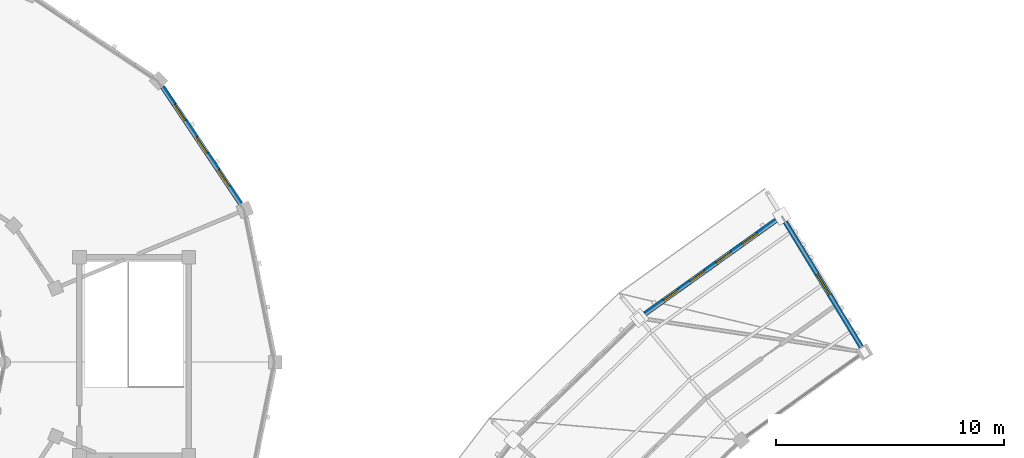
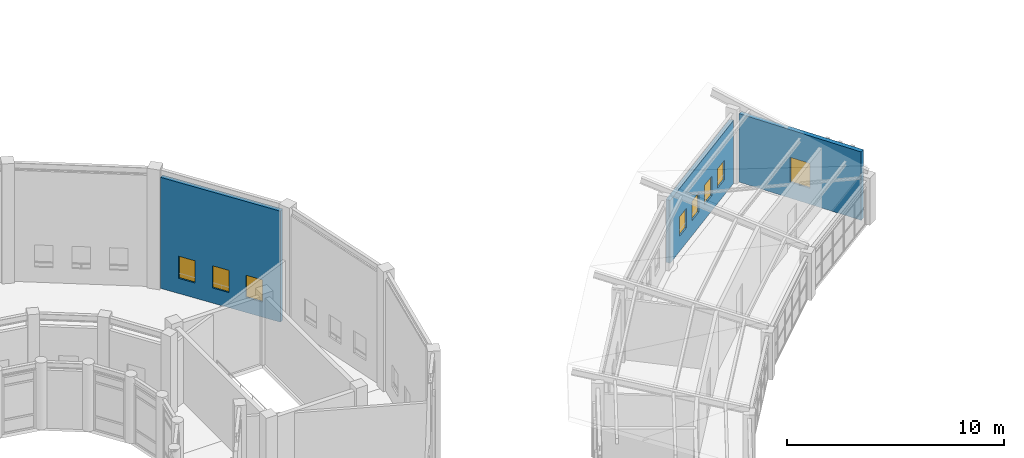
# One storey, part 130 of 149: 8 windows, 3 walls, 8 openings.
"""IFC4 building model written with IfcOpenShell, lengths in metres."""

import ifcopenshell
import ifcopenshell.guid

model = None  # the IFC model being written
_history = None  # IfcOwnerHistory: only IFC2X3 demands one
_inside = {}  # id of a spatial element -> (the spatial element, [elements in it])
_under = {}  # id of a project, library or spatial element -> (it, [spatial elements below it])
_declared = {}  # id of a project -> (the project, [libraries it declares])
_typed = {}  # id of a type object -> (the type object, [elements of that type])
_made_of = {}  # id of a material, layer set ... -> (it, [elements and type objects made of it])


def new_model(schema):
    """Start an empty IFC model of exactly this schema.

    Asked for "IFC4X3", IfcOpenShell would pick the latest addendum, in which some entities
    have other attributes; the version numbers below select the first issue.
    IFC2X3 requires an IfcOwnerHistory on every rooted entity: one is made here for all.
    """
    global model, _history
    if schema == "IFC4X3":
        model = ifcopenshell.file(schema_version=(4, 3, 0, 0))
    else:
        model = ifcopenshell.file(schema=schema)
    _inside.clear()
    _under.clear()
    _declared.clear()
    _typed.clear()
    _made_of.clear()
    _history = None
    if model.schema == "IFC2X3":
        org = make("IfcOrganization", Name="unknown")
        user = make(
            "IfcPersonAndOrganization",
            ThePerson=make("IfcPerson", FamilyName="unknown"),
            TheOrganization=org,
        )
        app = make(
            "IfcApplication",
            ApplicationDeveloper=org,
            Version="unknown",
            ApplicationFullName="unknown",
            ApplicationIdentifier="unknown",
        )
        _history = make(
            "IfcOwnerHistory",
            OwningUser=user,
            OwningApplication=app,
            ChangeAction="ADDED",
            CreationDate=0,
        )
    return model


def make(cls, **values):
    """One entity of the class cls with the attributes given. An attribute that is None is left unset."""
    return model.create_entity(
        cls, **{name: value for name, value in values.items() if value is not None}
    )


def rooted(cls, **values):
    """An entity with a GlobalId (a new one), such as an element, a storey or a relation."""
    return make(cls, GlobalId=ifcopenshell.guid.new(), OwnerHistory=_history, **values)


def si_unit(unit_type, name, prefix=None):
    """IfcSIUnit, for example si_unit("LENGTHUNIT", "METRE", prefix="MILLI")."""
    return make("IfcSIUnit", UnitType=unit_type, Prefix=prefix, Name=name)


def assignment(units):
    """IfcUnitAssignment: the units of a project."""
    return None if units is None else make("IfcUnitAssignment", Units=units)


def point(xyz):
    """IfcCartesianPoint."""
    return None if xyz is None else make("IfcCartesianPoint", Coordinates=xyz)


def direction(xyz):
    """IfcDirection."""
    return None if xyz is None else make("IfcDirection", DirectionRatios=xyz)


def frame(location, z_axis=None, x_axis=None):
    """IfcAxis2Placement3D, a coordinate frame: its origin and axes. An axis left out is left unset."""
    return make(
        "IfcAxis2Placement3D",
        Location=point(location),
        Axis=direction(z_axis),
        RefDirection=direction(x_axis),
    )


def frame_2d(location, x_axis=None):
    """IfcAxis2Placement2D, a coordinate frame in the plane: its origin and x axis."""
    return make(
        "IfcAxis2Placement2D", Location=point(location), RefDirection=direction(x_axis)
    )


def origin():
    """The frame at (0, 0, 0) with its axes left unset."""
    return frame((0.0, 0.0, 0.0))


def place(relative_to, where):
    """IfcLocalPlacement: puts the frame where relative to a parent placement (None: the world)."""
    return make(
        "IfcLocalPlacement", PlacementRelTo=relative_to, RelativePlacement=where
    )


def context(
    kind, dimensions, precision=None, world=None, true_north=None, identifier=None
):
    """IfcGeometricRepresentationContext, for example the 3D "Model" context."""
    return make(
        "IfcGeometricRepresentationContext",
        ContextIdentifier=identifier,
        ContextType=kind,
        CoordinateSpaceDimension=dimensions,
        Precision=precision,
        WorldCoordinateSystem=world,
        TrueNorth=true_north,
    )


def subcontext(parent, identifier, kind, view, scale=None):
    """IfcGeometricRepresentationSubContext, for example "Body" below "Model"."""
    return make(
        "IfcGeometricRepresentationSubContext",
        ContextIdentifier=identifier,
        ContextType=kind,
        ParentContext=parent,
        TargetScale=scale,
        TargetView=view,
    )


def project(units=None, contexts=None):
    """IfcProject with its units and contexts."""
    return rooted(
        "IfcProject",
        Name="project",
        RepresentationContexts=contexts,
        UnitsInContext=assignment(units),
    )


def spatial(cls, under=None, at=None, **own):
    """A site, building, storey or space (cls), placed at a placement, below another one or the project."""
    s = rooted(cls, ObjectPlacement=at, **own)
    if under is not None:
        _under.setdefault(under.id(), (under, []))[1].append(s)
    return s


def profile(cls, at=None, kind="AREA", **sizes):
    """A parametric profile (cls). Its sizes go by their IFC names, for example OverallWidth=200.0."""
    return make(cls, ProfileType=kind, Position=at, **sizes)


def rectangle(**sizes):
    """IfcRectangleProfileDef."""
    return profile("IfcRectangleProfileDef", **sizes)


def extrude(swept, where, along, depth):
    """IfcExtrudedAreaSolid: the profile swept, set in the frame where, extruded along a direction by depth."""
    return make(
        "IfcExtrudedAreaSolid",
        SweptArea=swept,
        Position=where,
        ExtrudedDirection=direction(along),
        Depth=depth,
    )


def shape(context_of_items, identifier, shape_type, items):
    """IfcShapeRepresentation: the items that make up one representation, for example the "Body"."""
    return make(
        "IfcShapeRepresentation",
        ContextOfItems=context_of_items,
        RepresentationIdentifier=identifier,
        RepresentationType=shape_type,
        Items=items,
    )


def material(Name=None, Category=None):
    """IfcMaterial."""
    return make("IfcMaterial", Name=Name, Category=Category)


def layer(
    of_material, thickness, ventilated=None, Name=None, Category=None, Priority=None
):
    """IfcMaterialLayer: one layer of a wall or slab, of a material (None: an air gap)."""
    return make(
        "IfcMaterialLayer",
        Material=of_material,
        LayerThickness=thickness,
        IsVentilated=ventilated,
        Name=Name,
        Category=Category,
        Priority=Priority,
    )


def layer_set(layers, Name=None):
    """IfcMaterialLayerSet."""
    return make("IfcMaterialLayerSet", MaterialLayers=layers, LayerSetName=Name)


def made_of(thing, what):
    """Note that an element or type object is made of a material, layer set ...; save() writes the relation."""
    if what is not None:
        _made_of.setdefault(what.id(), (what, []))[1].append(thing)
    return thing


def type_object(cls, material=None, **own):
    """A type object (cls), such as IfcWallType, which elements share."""
    return made_of(rooted(cls, **own), material)


def element(
    cls,
    number,
    at=None,
    inside=None,
    cuts=None,
    type_object=None,
    material=None,
    context=None,
    identifier="Body",
    shape_type=None,
    held_by="IfcProductDefinitionShape",
    body=None,
    shapes=None,
    **own,
):
    """One element of the class cls, such as IfcWall. Its Tag is "e" and its number.

    at: its placement. inside: the storey or other place that contains it. cuts: it is an
    opening in that element (IfcRelVoidsElement). A single representation is given by context,
    identifier, shape_type and body (its items); several are given by shapes. held_by: the class
    of the entity that holds the representations. save() writes the other relations.
    """
    e = rooted(cls, Tag="e%d" % number, ObjectPlacement=at, **own)
    if body is not None:
        shapes = [shape(context, identifier, shape_type, body)]
    if shapes is not None:
        e.Representation = make(held_by, Representations=shapes)
    if inside is not None:
        _inside.setdefault(inside.id(), (inside, []))[1].append(e)
    if cuts is not None:
        rooted(
            "IfcRelVoidsElement", RelatingBuildingElement=cuts, RelatedOpeningElement=e
        )
    if type_object is not None:
        _typed.setdefault(type_object.id(), (type_object, []))[1].append(e)
    return made_of(e, material)


def fill(opening, filler):
    """IfcRelFillsElement: the door or window that sits in an opening."""
    return rooted(
        "IfcRelFillsElement",
        RelatingOpeningElement=opening,
        RelatedBuildingElement=filler,
    )


def aggregate(whole, parts):
    """IfcRelAggregates: a whole, such as a stair, and the parts it consists of."""
    return rooted("IfcRelAggregates", RelatingObject=whole, RelatedObjects=parts)


def save(model, path):
    """Write the relations noted so far, then the file.

    IfcRelAggregates (storeys below a building ...), IfcRelContainedInSpatialStructure (elements
    in a storey), IfcRelDefinesByType, IfcRelAssociatesMaterial and IfcRelDeclares: one each for
    every whole, place, type object, material and project.
    """
    for whole, parts in _under.values():
        aggregate(whole, parts)
    for where, things in _inside.values():
        rooted(
            "IfcRelContainedInSpatialStructure",
            RelatedElements=things,
            RelatingStructure=where,
        )
    for kind, things in _typed.values():
        rooted("IfcRelDefinesByType", RelatedObjects=things, RelatingType=kind)
    for what, things in _made_of.values():
        rooted("IfcRelAssociatesMaterial", RelatedObjects=things, RelatingMaterial=what)
    for by, libraries in _declared.values():
        rooted("IfcRelDeclares", RelatingContext=by, RelatedDefinitions=libraries)
    model.write(path)


model = new_model("IFC4")

# Units and contexts
model_context = context("Model", 3, precision=1e-05, world=origin(), true_north=direction((0.0, 1.0)))
body_context = subcontext(model_context, "Body", "Model", "MODEL_VIEW")
ifc_project = project(units=[si_unit("LENGTHUNIT", "METRE"), si_unit("AREAUNIT", "SQUARE_METRE"), si_unit("VOLUMEUNIT", "CUBIC_METRE"), si_unit("PLANEANGLEUNIT", "RADIAN"), si_unit("MASSUNIT", "GRAM", prefix="KILO")], contexts=[model_context])

# Site, building, storey
site_placement = place(None, origin())
site = spatial("IfcSite", under=ifc_project, at=site_placement, CompositionType="ELEMENT")
building_placement = place(site_placement, origin())
building = spatial("IfcBuilding", under=site, at=building_placement, Name="Celadon Cloister-Ring School", CompositionType="ELEMENT")
storey_placement = place(building_placement, frame((0.0, 0.0, 12.5)))
storey = spatial("IfcBuildingStorey", under=building, at=storey_placement, Name="L03", CompositionType="ELEMENT", Elevation=12.5)

# Wall, openings, windows
ifc_material_1 = material(Name="Perforated terracotta clay brick masonry", Category="masonry")
ifc_layer = layer(ifc_material_1, 0.219970703125)
ifc_layer_set = layer_set([ifc_layer], Name="Perforated terracotta clay brick masonry")
wall_type = type_object("IfcWallType", Name="WT-EX4", PredefinedType="SOLIDWALL", material=ifc_layer_set)
wall_1_placement = place(storey_placement, frame((53.9560546875, 99.1220703125, 0.0), z_axis=(0.0, 0.0, 1.0), x_axis=(0.813425855983, 0.581668614262, 0.0)))
wall_1 = element("IfcWall", 1, at=wall_1_placement, inside=storey, type_object=wall_type, Name="Exterior Wall 0174", PredefinedType="SOLIDWALL", context=body_context, shape_type="SweptSolid", body=[
    extrude(rectangle(XDim=7.0810546875, YDim=0.219970703125, at=frame_2d((3.54052734375, 0.0))), origin(), (0.0, 0.0, 1.0), 3.537109375),
])
opening_1_placement = place(wall_1_placement, frame((1.01611328125, 0.0, 0.85009765625)))
opening_1 = element("IfcOpeningElement", 2, at=opening_1_placement, cuts=wall_1, Name="Opening WN-01", PredefinedType="OPENING", context=body_context, shape_type="SweptSolid", body=[
    extrude(rectangle(XDim=0.800048828125, YDim=1.10009765625, at=frame_2d((0.39990234375, 0.550048828125))), frame((0.0, 0.1201171875, 0.0), z_axis=(0.0, -1.0, 0.0), x_axis=(1.0, 0.0, 0.0)), (0.0, 0.0, 1.0), 0.239990234375),
])
opening_2_placement = place(wall_1_placement, frame((2.431884765625, 0.0, 0.85009765625)))
opening_2 = element("IfcOpeningElement", 3, at=opening_2_placement, cuts=wall_1, Name="Opening WN-01", PredefinedType="OPENING", context=body_context, shape_type="SweptSolid", body=[
    extrude(rectangle(XDim=0.800048828125, YDim=1.10009765625, at=frame_2d((0.39990234375, 0.550048828125))), frame((0.0, 0.1201171875, 0.0), z_axis=(0.0, -1.0, 0.0), x_axis=(1.0, 0.0, 0.0)), (0.0, 0.0, 1.0), 0.239990234375),
])
opening_3_placement = place(wall_1_placement, frame((3.84912109375, 0.0, 0.85009765625)))
opening_3 = element("IfcOpeningElement", 4, at=opening_3_placement, cuts=wall_1, Name="Opening WN-01", PredefinedType="OPENING", context=body_context, shape_type="SweptSolid", body=[
    extrude(rectangle(XDim=0.800048828125, YDim=1.10009765625, at=frame_2d((0.39990234375, 0.550048828125))), frame((0.0, 0.1201171875, 0.0), z_axis=(0.0, -1.0, 0.0), x_axis=(1.0, 0.0, 0.0)), (0.0, 0.0, 1.0), 0.239990234375),
])
opening_4_placement = place(wall_1_placement, frame((5.264892578125, 0.0, 0.85009765625)))
opening_4 = element("IfcOpeningElement", 5, at=opening_4_placement, cuts=wall_1, Name="Opening WN-01", PredefinedType="OPENING", context=body_context, shape_type="SweptSolid", body=[
    extrude(rectangle(XDim=0.800048828125, YDim=1.10009765625, at=frame_2d((0.39990234375, 0.550048828125))), frame((0.0, 0.1201171875, 0.0), z_axis=(0.0, -1.0, 0.0), x_axis=(1.0, 0.0, 0.0)), (0.0, 0.0, 1.0), 0.239990234375),
])
ifc_material_2 = material(Name="Tempered laminated insulating glass", Category="glass")
window_type_1 = type_object("IfcWindowType", Name="WN-01", PartitioningType="SINGLE_PANEL", PredefinedType="WINDOW", material=ifc_material_2)
window_1_placement = place(opening_1_placement, origin())
window_1 = element("IfcWindow", 6, at=window_1_placement, inside=storey, type_object=window_type_1, Name="Window 0443", OverallHeight=1.10009765625, OverallWidth=0.800048828125, PartitioningType="SINGLE_PANEL", PredefinedType="WINDOW", context=body_context, shape_type="SweptSolid", body=[
    extrude(rectangle(XDim=0.800048828125, YDim=1.10009765625, at=frame_2d((0.39990234375, 0.550048828125))), frame((0.0, 0.030029296875, 0.0), z_axis=(0.0, -1.0, 0.0), x_axis=(1.0, 0.0, 0.0)), (0.0, 0.0, 1.0), 0.06005859375),
])
fill(opening_1, window_1)
window_2_placement = place(opening_2_placement, origin())
window_2 = element("IfcWindow", 7, at=window_2_placement, inside=storey, type_object=window_type_1, Name="Window 0444", OverallHeight=1.10009765625, OverallWidth=0.800048828125, PartitioningType="SINGLE_PANEL", PredefinedType="WINDOW", context=body_context, shape_type="SweptSolid", body=[
    extrude(rectangle(XDim=0.800048828125, YDim=1.10009765625, at=frame_2d((0.39990234375, 0.550048828125))), frame((0.0, 0.030029296875, 0.0), z_axis=(0.0, -1.0, 0.0), x_axis=(1.0, 0.0, 0.0)), (0.0, 0.0, 1.0), 0.06005859375),
])
fill(opening_2, window_2)
window_3_placement = place(opening_3_placement, origin())
window_3 = element("IfcWindow", 8, at=window_3_placement, inside=storey, type_object=window_type_1, Name="Window 0445", OverallHeight=1.10009765625, OverallWidth=0.800048828125, PartitioningType="SINGLE_PANEL", PredefinedType="WINDOW", context=body_context, shape_type="SweptSolid", body=[
    extrude(rectangle(XDim=0.800048828125, YDim=1.10009765625, at=frame_2d((0.39990234375, 0.550048828125))), frame((0.0, 0.030029296875, 0.0), z_axis=(0.0, -1.0, 0.0), x_axis=(1.0, 0.0, 0.0)), (0.0, 0.0, 1.0), 0.06005859375),
])
fill(opening_3, window_3)
window_4_placement = place(opening_4_placement, origin())
window_4 = element("IfcWindow", 9, at=window_4_placement, inside=storey, type_object=window_type_1, Name="Window 0446", OverallHeight=1.10009765625, OverallWidth=0.800048828125, PartitioningType="SINGLE_PANEL", PredefinedType="WINDOW", context=body_context, shape_type="SweptSolid", body=[
    extrude(rectangle(XDim=0.800048828125, YDim=1.10009765625, at=frame_2d((0.39990234375, 0.550048828125))), frame((0.0, 0.030029296875, 0.0), z_axis=(0.0, -1.0, 0.0), x_axis=(1.0, 0.0, 0.0)), (0.0, 0.0, 1.0), 0.06005859375),
])
fill(opening_4, window_4)

# Wall, opening, window
wall_2_placement = place(storey_placement, frame((60.1259765625, 103.1640625, 0.0), z_axis=(0.0, 0.0, 1.0), x_axis=(0.519875778263, -0.854241871589, 0.0)))
wall_2 = element("IfcWall", 10, at=wall_2_placement, inside=storey, type_object=wall_type, Name="Exterior Wall 0209", PredefinedType="SOLIDWALL", context=body_context, shape_type="SweptSolid", body=[
    extrude(rectangle(XDim=6.421142578125, YDim=0.219970703125, at=frame_2d((3.21044921875, 0.0))), origin(), (0.0, 0.0, 1.0), 3.85009765625),
])
opening_5_placement = place(wall_2_placement, frame((2.68505859375, 0.0, 0.89990234375)))
opening_5 = element("IfcOpeningElement", 11, at=opening_5_placement, cuts=wall_2, Name="Opening WN-22", PredefinedType="OPENING", context=body_context, shape_type="SweptSolid", body=[
    extrude(rectangle(XDim=1.050048828125, YDim=1.39990234375, at=frame_2d((0.52490234375, 0.699951171875))), frame((0.0, 0.1201171875, 0.0), z_axis=(0.0, -1.0, 0.0), x_axis=(1.0, 0.0, 0.0)), (0.0, 0.0, 1.0), 0.239990234375),
])
ifc_material_3 = material(Name="Tempered laminated insulating glass", Category="glass")
window_type_2 = type_object("IfcWindowType", Name="WN-22", PartitioningType="SINGLE_PANEL", PredefinedType="WINDOW", material=ifc_material_3)
window_5_placement = place(opening_5_placement, origin())
window_5 = element("IfcWindow", 12, at=window_5_placement, inside=storey, type_object=window_type_2, Name="Window 0576", OverallHeight=1.39990234375, OverallWidth=1.050048828125, PartitioningType="SINGLE_PANEL", PredefinedType="WINDOW", context=body_context, shape_type="SweptSolid", body=[
    extrude(rectangle(XDim=1.050048828125, YDim=1.39990234375, at=frame_2d((0.52490234375, 0.699951171875))), frame((0.0, 0.030029296875, 0.0), z_axis=(0.0, -1.0, 0.0), x_axis=(1.0, 0.0, 0.0)), (0.0, 0.0, 1.0), 0.06005859375),
])
fill(opening_5, window_5)

# Wall, openings, windows
wall_3_placement = place(storey_placement, frame((32.757080078125, 109.10009765625, 0.0), z_axis=(0.0, 0.0, 1.0), x_axis=(0.555658736667, -0.831410469242, 0.0)))
wall_3 = element("IfcWall", 13, at=wall_3_placement, inside=storey, type_object=wall_type, Name="Exterior Wall 0272", PredefinedType="SOLIDWALL", context=body_context, shape_type="SweptSolid", body=[
    extrude(rectangle(XDim=6.169189453125, YDim=0.219970703125, at=frame_2d((3.08447265625, 0.0))), origin(), (0.0, 0.0, 1.0), 6.25),
])
opening_6_placement = place(wall_3_placement, frame((0.931884765625, 0.0, 0.85009765625)))
opening_6 = element("IfcOpeningElement", 14, at=opening_6_placement, cuts=wall_3, Name="Opening WN-11", PredefinedType="OPENING", context=body_context, shape_type="SweptSolid", body=[
    extrude(rectangle(XDim=0.85009765625, YDim=1.25, at=frame_2d((0.425048828125, 0.625))), frame((0.0, 0.1201171875, 0.0), z_axis=(0.0, -1.0, 0.0), x_axis=(1.0, 0.0, 0.0)), (0.0, 0.0, 1.0), 0.239990234375),
])
opening_7_placement = place(wall_3_placement, frame((2.659912109375, 0.0, 0.85009765625)))
opening_7 = element("IfcOpeningElement", 15, at=opening_7_placement, cuts=wall_3, Name="Opening WN-11", PredefinedType="OPENING", context=body_context, shape_type="SweptSolid", body=[
    extrude(rectangle(XDim=0.85009765625, YDim=1.25, at=frame_2d((0.425048828125, 0.625))), frame((0.0, 0.1201171875, 0.0), z_axis=(0.0, -1.0, 0.0), x_axis=(1.0, 0.0, 0.0)), (0.0, 0.0, 1.0), 0.239990234375),
])
opening_8_placement = place(wall_3_placement, frame((4.386962890625, 0.0, 0.85009765625)))
opening_8 = element("IfcOpeningElement", 16, at=opening_8_placement, cuts=wall_3, Name="Opening WN-11", PredefinedType="OPENING", context=body_context, shape_type="SweptSolid", body=[
    extrude(rectangle(XDim=0.85009765625, YDim=1.25, at=frame_2d((0.425048828125, 0.625))), frame((0.0, 0.1201171875, 0.0), z_axis=(0.0, -1.0, 0.0), x_axis=(1.0, 0.0, 0.0)), (0.0, 0.0, 1.0), 0.239990234375),
])
ifc_material_4 = material(Name="Tempered laminated insulating glass", Category="glass")
window_type_3 = type_object("IfcWindowType", Name="WN-11", PartitioningType="SINGLE_PANEL", PredefinedType="WINDOW", material=ifc_material_4)
window_6_placement = place(opening_6_placement, origin())
window_6 = element("IfcWindow", 17, at=window_6_placement, inside=storey, type_object=window_type_3, Name="Window 0717", OverallHeight=1.25, OverallWidth=0.85009765625, PartitioningType="SINGLE_PANEL", PredefinedType="WINDOW", context=body_context, shape_type="SweptSolid", body=[
    extrude(rectangle(XDim=0.85009765625, YDim=1.25, at=frame_2d((0.425048828125, 0.625))), frame((0.0, 0.030029296875, 0.0), z_axis=(0.0, -1.0, 0.0), x_axis=(1.0, 0.0, 0.0)), (0.0, 0.0, 1.0), 0.06005859375),
])
fill(opening_6, window_6)
window_7_placement = place(opening_7_placement, origin())
window_7 = element("IfcWindow", 18, at=window_7_placement, inside=storey, type_object=window_type_3, Name="Window 0718", OverallHeight=1.25, OverallWidth=0.85009765625, PartitioningType="SINGLE_PANEL", PredefinedType="WINDOW", context=body_context, shape_type="SweptSolid", body=[
    extrude(rectangle(XDim=0.85009765625, YDim=1.25, at=frame_2d((0.425048828125, 0.625))), frame((0.0, 0.030029296875, 0.0), z_axis=(0.0, -1.0, 0.0), x_axis=(1.0, 0.0, 0.0)), (0.0, 0.0, 1.0), 0.06005859375),
])
fill(opening_7, window_7)
window_8_placement = place(opening_8_placement, origin())
window_8 = element("IfcWindow", 19, at=window_8_placement, inside=storey, type_object=window_type_3, Name="Window 0719", OverallHeight=1.25, OverallWidth=0.85009765625, PartitioningType="SINGLE_PANEL", PredefinedType="WINDOW", context=body_context, shape_type="SweptSolid", body=[
    extrude(rectangle(XDim=0.85009765625, YDim=1.25, at=frame_2d((0.425048828125, 0.625))), frame((0.0, 0.030029296875, 0.0), z_axis=(0.0, -1.0, 0.0), x_axis=(1.0, 0.0, 0.0)), (0.0, 0.0, 1.0), 0.06005859375),
])
fill(opening_8, window_8)

save(model, "model.ifc")
